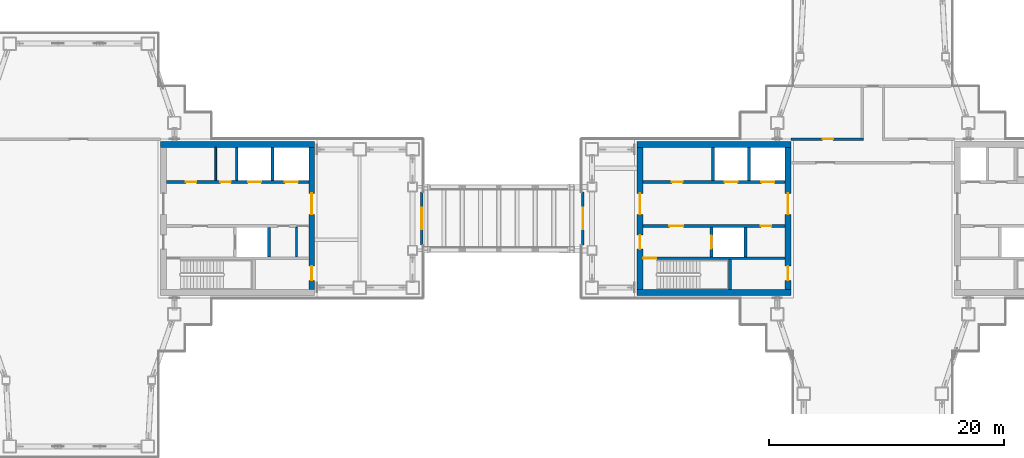
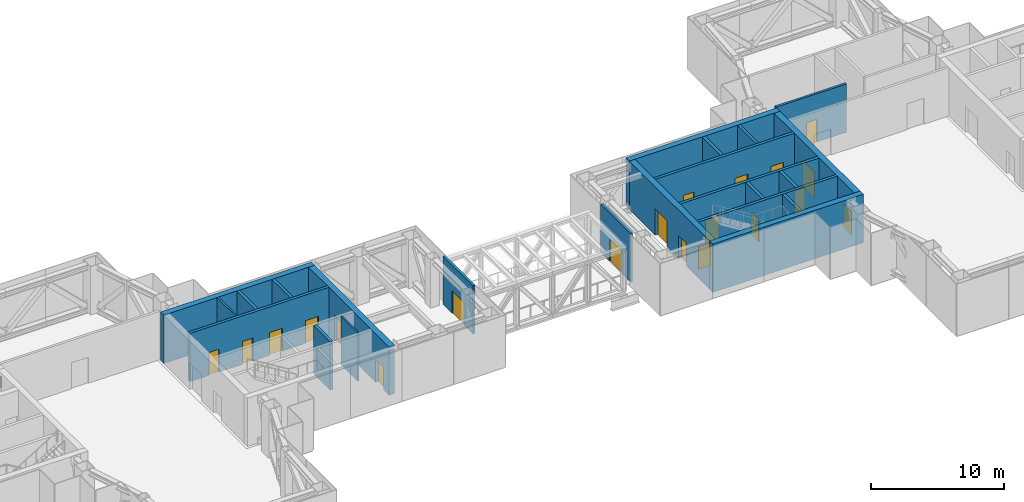
# One storey, part 11 of 21: 23 walls, 20 doors, 20 openings.
"""IFC4 building model written with IfcOpenShell, lengths in metres."""

import ifcopenshell
import ifcopenshell.guid

model = None  # the IFC model being written
_history = None  # IfcOwnerHistory: only IFC2X3 demands one
_inside = {}  # id of a spatial element -> (the spatial element, [elements in it])
_under = {}  # id of a project, library or spatial element -> (it, [spatial elements below it])
_declared = {}  # id of a project -> (the project, [libraries it declares])
_typed = {}  # id of a type object -> (the type object, [elements of that type])
_made_of = {}  # id of a material, layer set ... -> (it, [elements and type objects made of it])


def new_model(schema):
    """Start an empty IFC model of exactly this schema.

    Asked for "IFC4X3", IfcOpenShell would pick the latest addendum, in which some entities
    have other attributes; the version numbers below select the first issue.
    IFC2X3 requires an IfcOwnerHistory on every rooted entity: one is made here for all.
    """
    global model, _history
    if schema == "IFC4X3":
        model = ifcopenshell.file(schema_version=(4, 3, 0, 0))
    else:
        model = ifcopenshell.file(schema=schema)
    _inside.clear()
    _under.clear()
    _declared.clear()
    _typed.clear()
    _made_of.clear()
    _history = None
    if model.schema == "IFC2X3":
        org = make("IfcOrganization", Name="unknown")
        user = make(
            "IfcPersonAndOrganization",
            ThePerson=make("IfcPerson", FamilyName="unknown"),
            TheOrganization=org,
        )
        app = make(
            "IfcApplication",
            ApplicationDeveloper=org,
            Version="unknown",
            ApplicationFullName="unknown",
            ApplicationIdentifier="unknown",
        )
        _history = make(
            "IfcOwnerHistory",
            OwningUser=user,
            OwningApplication=app,
            ChangeAction="ADDED",
            CreationDate=0,
        )
    return model


def make(cls, **values):
    """One entity of the class cls with the attributes given. An attribute that is None is left unset."""
    return model.create_entity(
        cls, **{name: value for name, value in values.items() if value is not None}
    )


def rooted(cls, **values):
    """An entity with a GlobalId (a new one), such as an element, a storey or a relation."""
    return make(cls, GlobalId=ifcopenshell.guid.new(), OwnerHistory=_history, **values)


def si_unit(unit_type, name, prefix=None):
    """IfcSIUnit, for example si_unit("LENGTHUNIT", "METRE", prefix="MILLI")."""
    return make("IfcSIUnit", UnitType=unit_type, Prefix=prefix, Name=name)


def assignment(units):
    """IfcUnitAssignment: the units of a project."""
    return None if units is None else make("IfcUnitAssignment", Units=units)


def point(xyz):
    """IfcCartesianPoint."""
    return None if xyz is None else make("IfcCartesianPoint", Coordinates=xyz)


def direction(xyz):
    """IfcDirection."""
    return None if xyz is None else make("IfcDirection", DirectionRatios=xyz)


def frame(location, z_axis=None, x_axis=None):
    """IfcAxis2Placement3D, a coordinate frame: its origin and axes. An axis left out is left unset."""
    return make(
        "IfcAxis2Placement3D",
        Location=point(location),
        Axis=direction(z_axis),
        RefDirection=direction(x_axis),
    )


def frame_2d(location, x_axis=None):
    """IfcAxis2Placement2D, a coordinate frame in the plane: its origin and x axis."""
    return make(
        "IfcAxis2Placement2D", Location=point(location), RefDirection=direction(x_axis)
    )


def origin():
    """The frame at (0, 0, 0) with its axes left unset."""
    return frame((0.0, 0.0, 0.0))


def place(relative_to, where):
    """IfcLocalPlacement: puts the frame where relative to a parent placement (None: the world)."""
    return make(
        "IfcLocalPlacement", PlacementRelTo=relative_to, RelativePlacement=where
    )


def context(
    kind, dimensions, precision=None, world=None, true_north=None, identifier=None
):
    """IfcGeometricRepresentationContext, for example the 3D "Model" context."""
    return make(
        "IfcGeometricRepresentationContext",
        ContextIdentifier=identifier,
        ContextType=kind,
        CoordinateSpaceDimension=dimensions,
        Precision=precision,
        WorldCoordinateSystem=world,
        TrueNorth=true_north,
    )


def subcontext(parent, identifier, kind, view, scale=None):
    """IfcGeometricRepresentationSubContext, for example "Body" below "Model"."""
    return make(
        "IfcGeometricRepresentationSubContext",
        ContextIdentifier=identifier,
        ContextType=kind,
        ParentContext=parent,
        TargetScale=scale,
        TargetView=view,
    )


def project(units=None, contexts=None):
    """IfcProject with its units and contexts."""
    return rooted(
        "IfcProject",
        Name="project",
        RepresentationContexts=contexts,
        UnitsInContext=assignment(units),
    )


def spatial(cls, under=None, at=None, **own):
    """A site, building, storey or space (cls), placed at a placement, below another one or the project."""
    s = rooted(cls, ObjectPlacement=at, **own)
    if under is not None:
        _under.setdefault(under.id(), (under, []))[1].append(s)
    return s


def profile(cls, at=None, kind="AREA", **sizes):
    """A parametric profile (cls). Its sizes go by their IFC names, for example OverallWidth=200.0."""
    return make(cls, ProfileType=kind, Position=at, **sizes)


def rectangle(**sizes):
    """IfcRectangleProfileDef."""
    return profile("IfcRectangleProfileDef", **sizes)


def extrude(swept, where, along, depth):
    """IfcExtrudedAreaSolid: the profile swept, set in the frame where, extruded along a direction by depth."""
    return make(
        "IfcExtrudedAreaSolid",
        SweptArea=swept,
        Position=where,
        ExtrudedDirection=direction(along),
        Depth=depth,
    )


def shape(context_of_items, identifier, shape_type, items):
    """IfcShapeRepresentation: the items that make up one representation, for example the "Body"."""
    return make(
        "IfcShapeRepresentation",
        ContextOfItems=context_of_items,
        RepresentationIdentifier=identifier,
        RepresentationType=shape_type,
        Items=items,
    )


def material(Name=None, Category=None):
    """IfcMaterial."""
    return make("IfcMaterial", Name=Name, Category=Category)


def layer(
    of_material, thickness, ventilated=None, Name=None, Category=None, Priority=None
):
    """IfcMaterialLayer: one layer of a wall or slab, of a material (None: an air gap)."""
    return make(
        "IfcMaterialLayer",
        Material=of_material,
        LayerThickness=thickness,
        IsVentilated=ventilated,
        Name=Name,
        Category=Category,
        Priority=Priority,
    )


def layer_set(layers, Name=None):
    """IfcMaterialLayerSet."""
    return make("IfcMaterialLayerSet", MaterialLayers=layers, LayerSetName=Name)


def made_of(thing, what):
    """Note that an element or type object is made of a material, layer set ...; save() writes the relation."""
    if what is not None:
        _made_of.setdefault(what.id(), (what, []))[1].append(thing)
    return thing


def type_object(cls, material=None, **own):
    """A type object (cls), such as IfcWallType, which elements share."""
    return made_of(rooted(cls, **own), material)


def element(
    cls,
    number,
    at=None,
    inside=None,
    cuts=None,
    type_object=None,
    material=None,
    context=None,
    identifier="Body",
    shape_type=None,
    held_by="IfcProductDefinitionShape",
    body=None,
    shapes=None,
    **own,
):
    """One element of the class cls, such as IfcWall. Its Tag is "e" and its number.

    at: its placement. inside: the storey or other place that contains it. cuts: it is an
    opening in that element (IfcRelVoidsElement). A single representation is given by context,
    identifier, shape_type and body (its items); several are given by shapes. held_by: the class
    of the entity that holds the representations. save() writes the other relations.
    """
    e = rooted(cls, Tag="e%d" % number, ObjectPlacement=at, **own)
    if body is not None:
        shapes = [shape(context, identifier, shape_type, body)]
    if shapes is not None:
        e.Representation = make(held_by, Representations=shapes)
    if inside is not None:
        _inside.setdefault(inside.id(), (inside, []))[1].append(e)
    if cuts is not None:
        rooted(
            "IfcRelVoidsElement", RelatingBuildingElement=cuts, RelatedOpeningElement=e
        )
    if type_object is not None:
        _typed.setdefault(type_object.id(), (type_object, []))[1].append(e)
    return made_of(e, material)


def fill(opening, filler):
    """IfcRelFillsElement: the door or window that sits in an opening."""
    return rooted(
        "IfcRelFillsElement",
        RelatingOpeningElement=opening,
        RelatedBuildingElement=filler,
    )


def aggregate(whole, parts):
    """IfcRelAggregates: a whole, such as a stair, and the parts it consists of."""
    return rooted("IfcRelAggregates", RelatingObject=whole, RelatedObjects=parts)


def save(model, path):
    """Write the relations noted so far, then the file.

    IfcRelAggregates (storeys below a building ...), IfcRelContainedInSpatialStructure (elements
    in a storey), IfcRelDefinesByType, IfcRelAssociatesMaterial and IfcRelDeclares: one each for
    every whole, place, type object, material and project.
    """
    for whole, parts in _under.values():
        aggregate(whole, parts)
    for where, things in _inside.values():
        rooted(
            "IfcRelContainedInSpatialStructure",
            RelatedElements=things,
            RelatingStructure=where,
        )
    for kind, things in _typed.values():
        rooted("IfcRelDefinesByType", RelatedObjects=things, RelatingType=kind)
    for what, things in _made_of.values():
        rooted("IfcRelAssociatesMaterial", RelatedObjects=things, RelatingMaterial=what)
    for by, libraries in _declared.values():
        rooted("IfcRelDeclares", RelatingContext=by, RelatedDefinitions=libraries)
    model.write(path)


model = new_model("IFC4")

# Units and contexts
model_context = context("Model", 3, precision=1e-05, world=origin(), true_north=direction((0.0, 1.0)))
body_context = subcontext(model_context, "Body", "Model", "MODEL_VIEW")
ifc_project = project(units=[si_unit("LENGTHUNIT", "METRE"), si_unit("AREAUNIT", "SQUARE_METRE"), si_unit("VOLUMEUNIT", "CUBIC_METRE"), si_unit("PLANEANGLEUNIT", "RADIAN"), si_unit("MASSUNIT", "GRAM", prefix="KILO")], contexts=[model_context])

# Site, building, storey
site_placement = place(None, origin())
site = spatial("IfcSite", under=ifc_project, at=site_placement, CompositionType="ELEMENT")
building_placement = place(site_placement, origin())
building = spatial("IfcBuilding", under=site, at=building_placement, Name="Shamsa Quay Exchange Towers", CompositionType="ELEMENT")
storey_placement = place(building_placement, frame((0.0, 0.0, 177.89990234375)))
storey = spatial("IfcBuildingStorey", under=building, at=storey_placement, Name="L42", CompositionType="ELEMENT", Elevation=177.89990234375)

# Wall
ifc_material_1 = material(Name="Concrete C60/75", Category="concrete")
ifc_layer_1 = layer(ifc_material_1, 0.5)
ifc_layer_set_1 = layer_set([ifc_layer_1], Name="CORE WALL 500 C60/75")
wall_type_1 = type_object("IfcWallType", Name="CORE WALL 500 C60/75", PredefinedType="SHEAR", material=ifc_layer_set_1)
wall_1_placement = place(storey_placement, frame((-26.800048828125, 6.300048828125, 0.0)))
element("IfcWall", 1, at=wall_1_placement, inside=storey, type_object=wall_type_1, Name="Core wall T1A-L42-PN", PredefinedType="SHEAR", context=body_context, shape_type="SweptSolid", body=[
    extrude(rectangle(XDim=13.10009765625, YDim=0.5, at=frame_2d((6.550048828125, 0.0))), origin(), (0.0, 0.0, 1.0), 4.4501953125),
])

# Wall, openings, doors
wall_2_placement = place(storey_placement, frame((-13.949951171875, 6.050048828125, 0.0), z_axis=(0.0, 0.0, 1.0), x_axis=(0.0, -1.0, 0.0)))
wall_2 = element("IfcWall", 2, at=wall_2_placement, inside=storey, type_object=wall_type_1, Name="Core wall T1A-L42-PB", PredefinedType="SHEAR", context=body_context, shape_type="SweptSolid", body=[
    extrude(rectangle(XDim=12.10009765625, YDim=0.5, at=frame_2d((6.050048828125, 0.0))), origin(), (0.0, 0.0, 1.0), 4.4501953125),
])
opening_1_placement = place(wall_2_placement, frame((10.10009765625, 0.0, 0.0)))
opening_1 = element("IfcOpeningElement", 3, at=opening_1_placement, cuts=wall_2, Name="Opening T1A-L42-RD03", PredefinedType="OPENING", context=body_context, shape_type="SweptSolid", body=[
    extrude(rectangle(XDim=1.199951171875, YDim=2.10009765625, at=frame_2d((0.60009765625, 1.050048828125))), frame((0.0, 0.260009765625, 0.0), z_axis=(0.0, -1.0, 0.0), x_axis=(1.0, 0.0, 0.0)), (0.0, 0.0, 1.0), 0.52001953125),
])
opening_2_placement = place(wall_2_placement, frame((3.89990234375, 0.0, 0.0)))
opening_2 = element("IfcOpeningElement", 4, at=opening_2_placement, cuts=wall_2, Name="Opening T1A-L42-LBD04", PredefinedType="OPENING", context=body_context, shape_type="SweptSolid", body=[
    extrude(rectangle(XDim=1.800048828125, YDim=2.39990234375, at=frame_2d((0.89990234375, 1.199951171875))), frame((0.0, 0.260009765625, 0.0), z_axis=(0.0, -1.0, 0.0), x_axis=(1.0, 0.0, 0.0)), (0.0, 0.0, 1.0), 0.52001953125),
])
ifc_material_2 = material(Name="Steel, fire rated", Category="steel")
door_type_1 = type_object("IfcDoorType", Name="LIFT LOBBY DOOR PAIR 1800", OperationType="DOUBLE_DOOR_SINGLE_SWING", PredefinedType="DOOR", material=ifc_material_2)
door_1_placement = place(opening_2_placement, origin())
door_1 = element("IfcDoor", 5, at=door_1_placement, inside=storey, type_object=door_type_1, Name="T1A-L42-LBD04", OperationType="DOUBLE_DOOR_SINGLE_SWING", OverallHeight=2.39990234375, OverallWidth=1.800048828125, PredefinedType="DOOR", context=body_context, shape_type="SweptSolid", body=[
    extrude(rectangle(XDim=1.800048828125, YDim=2.39990234375, at=frame_2d((0.89990234375, 1.199951171875))), frame((0.0, 0.02490234375, 0.0), z_axis=(0.0, -1.0, 0.0), x_axis=(1.0, 0.0, 0.0)), (0.0, 0.0, 1.0), 0.050048828125),
])
fill(opening_2, door_1)
door_type_2 = type_object("IfcDoorType", Name="RISER ACCESS DOOR 1200", OperationType="SINGLE_SWING_LEFT", PredefinedType="DOOR", material=ifc_material_2)
door_2_placement = place(opening_1_placement, origin())
door_2 = element("IfcDoor", 6, at=door_2_placement, inside=storey, type_object=door_type_2, Name="T1A-L42-RD03", OperationType="SINGLE_SWING_RIGHT", OverallHeight=2.10009765625, OverallWidth=1.199951171875, PredefinedType="DOOR", context=body_context, shape_type="SweptSolid", body=[
    extrude(rectangle(XDim=1.199951171875, YDim=2.10009765625, at=frame_2d((0.60009765625, 1.050048828125))), frame((0.0, 0.02490234375, 0.0), z_axis=(0.0, -1.0, 0.0), x_axis=(1.0, 0.0, 0.0)), (0.0, 0.0, 1.0), 0.050048828125),
])
fill(opening_1, door_2)

# Walls
for number, where, name in (
    (7, (13.699951171875, -6.300048828125, 0.0), "Core wall T2A-L42-PS"),
    (8, (13.699951171875, 6.300048828125, 0.0), "Core wall T2A-L42-PN"),
):
    element("IfcWall", number, at=place(storey_placement, frame(where)), inside=storey, type_object=wall_type_1, Name=name, PredefinedType="SHEAR", context=body_context, shape_type="SweptSolid", body=[
        extrude(rectangle(XDim=13.10009765625, YDim=0.5, at=frame_2d((6.550048828125, 0.0))), origin(), (0.0, 0.0, 1.0), 4.4501953125),
    ])

# Wall, openings, doors
wall_3_placement = place(storey_placement, frame((13.949951171875, 6.050048828125, 0.0), z_axis=(0.0, 0.0, 1.0), x_axis=(0.0, -1.0, 0.0)))
wall_3 = element("IfcWall", 9, at=wall_3_placement, inside=storey, type_object=wall_type_1, Name="Core wall T2A-L42-PF", PredefinedType="SHEAR", context=body_context, shape_type="SweptSolid", body=[
    extrude(rectangle(XDim=12.10009765625, YDim=0.5, at=frame_2d((6.050048828125, 0.0))), origin(), (0.0, 0.0, 1.0), 4.4501953125),
])
opening_3_placement = place(wall_3_placement, frame((7.449951171875, 0.0, 0.0)))
opening_3 = element("IfcOpeningElement", 10, at=opening_3_placement, cuts=wall_3, Name="Opening T2A-L42-FD01", PredefinedType="OPENING", context=body_context, shape_type="SweptSolid", body=[
    extrude(rectangle(XDim=1.199951171875, YDim=2.10009765625, at=frame_2d((0.60009765625, 1.050048828125))), frame((0.0, 0.260009765625, 0.0), z_axis=(0.0, -1.0, 0.0), x_axis=(1.0, 0.0, 0.0)), (0.0, 0.0, 1.0), 0.52001953125),
])
opening_4_placement = place(wall_3_placement, frame((3.89990234375, 0.0, 0.0)))
opening_4 = element("IfcOpeningElement", 11, at=opening_4_placement, cuts=wall_3, Name="Opening T2A-L42-LBD02", PredefinedType="OPENING", context=body_context, shape_type="SweptSolid", body=[
    extrude(rectangle(XDim=1.800048828125, YDim=2.39990234375, at=frame_2d((0.89990234375, 1.199951171875))), frame((0.0, 0.260009765625, 0.0), z_axis=(0.0, -1.0, 0.0), x_axis=(1.0, 0.0, 0.0)), (0.0, 0.0, 1.0), 0.52001953125),
])
door_type_3 = type_object("IfcDoorType", Name="FIRE SERVICE LOBBY DOOR 1200", OperationType="SINGLE_SWING_LEFT", PredefinedType="DOOR", material=ifc_material_2)
door_3_placement = place(opening_3_placement, origin())
door_3 = element("IfcDoor", 12, at=door_3_placement, inside=storey, type_object=door_type_3, Name="T2A-L42-FD01", OperationType="SINGLE_SWING_RIGHT", OverallHeight=2.10009765625, OverallWidth=1.199951171875, PredefinedType="DOOR", context=body_context, shape_type="SweptSolid", body=[
    extrude(rectangle(XDim=1.199951171875, YDim=2.10009765625, at=frame_2d((0.60009765625, 1.050048828125))), frame((0.0, 0.02490234375, 0.0), z_axis=(0.0, -1.0, 0.0), x_axis=(1.0, 0.0, 0.0)), (0.0, 0.0, 1.0), 0.050048828125),
])
fill(opening_3, door_3)
door_4_placement = place(opening_4_placement, origin())
door_4 = element("IfcDoor", 13, at=door_4_placement, inside=storey, type_object=door_type_1, Name="T2A-L42-LBD02", OperationType="DOUBLE_DOOR_SINGLE_SWING", OverallHeight=2.39990234375, OverallWidth=1.800048828125, PredefinedType="DOOR", context=body_context, shape_type="SweptSolid", body=[
    extrude(rectangle(XDim=1.800048828125, YDim=2.39990234375, at=frame_2d((0.89990234375, 1.199951171875))), frame((0.0, 0.02490234375, 0.0), z_axis=(0.0, -1.0, 0.0), x_axis=(1.0, 0.0, 0.0)), (0.0, 0.0, 1.0), 0.050048828125),
])
fill(opening_4, door_4)

wall_4_placement = place(storey_placement, frame((26.550048828125, 6.050048828125, 0.0), z_axis=(0.0, 0.0, 1.0), x_axis=(0.0, -1.0, 0.0)))
wall_4 = element("IfcWall", 14, at=wall_4_placement, inside=storey, type_object=wall_type_1, Name="Core wall T2A-L42-PB", PredefinedType="SHEAR", context=body_context, shape_type="SweptSolid", body=[
    extrude(rectangle(XDim=12.10009765625, YDim=0.5, at=frame_2d((6.050048828125, 0.0))), origin(), (0.0, 0.0, 1.0), 4.4501953125),
])
opening_5_placement = place(wall_4_placement, frame((10.10009765625, 0.0, 0.0)))
opening_5 = element("IfcOpeningElement", 15, at=opening_5_placement, cuts=wall_4, Name="Opening T2A-L42-RD03", PredefinedType="OPENING", context=body_context, shape_type="SweptSolid", body=[
    extrude(rectangle(XDim=1.199951171875, YDim=2.10009765625, at=frame_2d((0.60009765625, 1.050048828125))), frame((0.0, 0.260009765625, 0.0), z_axis=(0.0, -1.0, 0.0), x_axis=(1.0, 0.0, 0.0)), (0.0, 0.0, 1.0), 0.52001953125),
])
opening_6_placement = place(wall_4_placement, frame((3.89990234375, 0.0, 0.0)))
opening_6 = element("IfcOpeningElement", 16, at=opening_6_placement, cuts=wall_4, Name="Opening T2A-L42-LBD04", PredefinedType="OPENING", context=body_context, shape_type="SweptSolid", body=[
    extrude(rectangle(XDim=1.800048828125, YDim=2.39990234375, at=frame_2d((0.89990234375, 1.199951171875))), frame((0.0, 0.260009765625, 0.0), z_axis=(0.0, -1.0, 0.0), x_axis=(1.0, 0.0, 0.0)), (0.0, 0.0, 1.0), 0.52001953125),
])
door_5_placement = place(opening_6_placement, origin())
door_5 = element("IfcDoor", 17, at=door_5_placement, inside=storey, type_object=door_type_1, Name="T2A-L42-LBD04", OperationType="DOUBLE_DOOR_SINGLE_SWING", OverallHeight=2.39990234375, OverallWidth=1.800048828125, PredefinedType="DOOR", context=body_context, shape_type="SweptSolid", body=[
    extrude(rectangle(XDim=1.800048828125, YDim=2.39990234375, at=frame_2d((0.89990234375, 1.199951171875))), frame((0.0, 0.02490234375, 0.0), z_axis=(0.0, -1.0, 0.0), x_axis=(1.0, 0.0, 0.0)), (0.0, 0.0, 1.0), 0.050048828125),
])
fill(opening_6, door_5)
door_6_placement = place(opening_5_placement, origin())
door_6 = element("IfcDoor", 18, at=door_6_placement, inside=storey, type_object=door_type_2, Name="T2A-L42-RD03", OperationType="SINGLE_SWING_RIGHT", OverallHeight=2.10009765625, OverallWidth=1.199951171875, PredefinedType="DOOR", context=body_context, shape_type="SweptSolid", body=[
    extrude(rectangle(XDim=1.199951171875, YDim=2.10009765625, at=frame_2d((0.60009765625, 1.050048828125))), frame((0.0, 0.02490234375, 0.0), z_axis=(0.0, -1.0, 0.0), x_axis=(1.0, 0.0, 0.0)), (0.0, 0.0, 1.0), 0.050048828125),
])
fill(opening_5, door_6)

# Walls
ifc_material_3 = material(Name="Gypsum board on steel studs, EI 60", Category="steel")
ifc_layer_2 = layer(ifc_material_3, 0.14990234375)
ifc_layer_set_2 = layer_set([ifc_layer_2], Name="FIRE PARTITION 150")
wall_type_2 = type_object("IfcWallType", Name="FIRE PARTITION 150", PredefinedType="PARTITIONING", material=ifc_layer_set_2)
wall_5_placement = place(storey_placement, frame((-15.25, -3.25, 0.0), z_axis=(0.0, 0.0, 1.0), x_axis=(0.0, 1.0, 0.0)))
element("IfcWall", 19, at=wall_5_placement, inside=storey, type_object=wall_type_2, Name="Partition T1A-L42-EC0", PredefinedType="PARTITIONING", context=body_context, shape_type="SweptSolid", body=[
    extrude(rectangle(XDim=2.5, YDim=0.14990234375, at=frame_2d((1.25, 0.0))), origin(), (0.0, 0.0, 1.0), 4.4501953125),
])
wall_6_placement = place(storey_placement, frame((-22.10009765625, 3.25, 0.0), z_axis=(0.0, 0.0, 1.0), x_axis=(0.0, 1.0, 0.0)))
element("IfcWall", 20, at=wall_6_placement, inside=storey, type_object=wall_type_2, Name="Partition T1A-L42-FC0", PredefinedType="PARTITIONING", context=body_context, shape_type="SweptSolid", body=[
    extrude(rectangle(XDim=2.800048828125, YDim=0.14990234375, at=frame_2d((1.39990234375, 0.0))), origin(), (0.0, 0.0, 1.0), 4.4501953125),
])

# Wall, opening, door
ifc_material_4 = material(Name="Gypsum board partition on metal studs")
ifc_layer_3 = layer(ifc_material_4, 0.199951171875)
ifc_layer_set_3 = layer_set([ifc_layer_3], Name="Partition 200 mm EI 90")
wall_type_3 = type_object("IfcWallType", Name="Partition 200 mm EI 90", PredefinedType="PARTITIONING", material=ifc_layer_set_3)
wall_7_placement = place(storey_placement, frame((26.800048828125, 6.75, 0.0)))
wall_7 = element("IfcWall", 21, at=wall_7_placement, inside=storey, type_object=wall_type_3, Name="Partition T2-L42-W03", PredefinedType="PARTITIONING", context=body_context, shape_type="SweptSolid", body=[
    extrude(rectangle(XDim=6.149658203125, YDim=0.199951171875, at=frame_2d((3.07470703125, 0.0))), origin(), (0.0, 0.0, 1.0), 4.4501953125),
])
opening_7_placement = place(wall_7_placement, frame((2.6748046875, 0.0, 0.0)))
opening_7 = element("IfcOpeningElement", 22, at=opening_7_placement, cuts=wall_7, Name="Opening T2-L42-D05", PredefinedType="OPENING", context=body_context, shape_type="SweptSolid", body=[
    extrude(rectangle(XDim=0.89990234375, YDim=2.10009765625, at=frame_2d((0.449951171875, 1.050048828125))), frame((0.0, 0.10986328125, 0.0), z_axis=(0.0, -1.0, 0.0), x_axis=(1.0, 0.0, 0.0)), (0.0, 0.0, 1.0), 0.219970703125),
])
ifc_material_5 = material(Name="Timber door leaf in a metal frame", Category="wood")
door_type_4 = type_object("IfcDoorType", Name="Door 900x2100 FD60", OperationType="NOTDEFINED", PredefinedType="DOOR", material=ifc_material_5)
door_7_placement = place(opening_7_placement, origin())
door_7 = element("IfcDoor", 23, at=door_7_placement, inside=storey, type_object=door_type_4, Name="Door T2-L42-D05", OperationType="SINGLE_SWING_LEFT", OverallHeight=2.10009765625, OverallWidth=0.89990234375, PredefinedType="DOOR", context=body_context, shape_type="SweptSolid", body=[
    extrude(rectangle(XDim=0.89990234375, YDim=2.10009765625, at=frame_2d((0.449951171875, 1.050048828125))), frame((0.0, 0.02490234375, 0.0), z_axis=(0.0, -1.0, 0.0), x_axis=(1.0, 0.0, 0.0)), (0.0, 0.0, 1.0), 0.050048828125),
])
fill(opening_7, door_7)

ifc_material_6 = material(Name="Fire-rated masonry and board wall", Category="masonry")
ifc_layer_4 = layer(ifc_material_6, 0.199951171875)
ifc_layer_set_4 = layer_set([ifc_layer_4], Name="Portal wall 200 mm EI 120")
wall_type_4 = type_object("IfcWallType", Name="Portal wall 200 mm EI 120", PredefinedType="PARTITIONING", material=ifc_layer_set_4)
wall_8_placement = place(storey_placement, frame((-4.60009765625, -2.25, 0.0), z_axis=(0.0, 0.0, 1.0), x_axis=(0.0, 1.0, 0.0)))
wall_8 = element("IfcWall", 24, at=wall_8_placement, inside=storey, type_object=wall_type_4, Name="Portal wall T1-L42-W02", PredefinedType="PARTITIONING", context=body_context, shape_type="SweptSolid", body=[
    extrude(rectangle(XDim=4.5, YDim=0.199951171875, at=frame_2d((2.25, 0.0))), origin(), (0.0, 0.0, 1.0), 4.4501953125),
])
opening_8_placement = place(wall_8_placement, frame((1.35009765625, 0.0, 0.0)))
opening_8 = element("IfcOpeningElement", 25, at=opening_8_placement, cuts=wall_8, Name="Opening T1-L42-D02", PredefinedType="OPENING", context=body_context, shape_type="SweptSolid", body=[
    extrude(rectangle(XDim=1.800048828125, YDim=2.10009765625, at=frame_2d((0.89990234375, 1.050048828125))), frame((0.0, 0.10986328125, 0.0), z_axis=(0.0, -1.0, 0.0), x_axis=(1.0, 0.0, 0.0)), (0.0, 0.0, 1.0), 0.219970703125),
])
door_type_5 = type_object("IfcDoorType", Name="Door 1800x2100 FD90 pair", OperationType="NOTDEFINED", PredefinedType="DOOR", material=ifc_material_5)
door_8_placement = place(opening_8_placement, origin())
door_8 = element("IfcDoor", 26, at=door_8_placement, inside=storey, type_object=door_type_5, Name="Door T1-L42-D02", OperationType="DOUBLE_DOOR_SINGLE_SWING", OverallHeight=2.10009765625, OverallWidth=1.800048828125, PredefinedType="DOOR", context=body_context, shape_type="SweptSolid", body=[
    extrude(rectangle(XDim=1.800048828125, YDim=2.10009765625, at=frame_2d((0.89990234375, 1.050048828125))), frame((0.0, 0.02490234375, 0.0), z_axis=(0.0, -1.0, 0.0), x_axis=(1.0, 0.0, 0.0)), (0.0, 0.0, 1.0), 0.050048828125),
])
fill(opening_8, door_8)

wall_9_placement = place(storey_placement, frame((9.10009765625, 2.25, 0.0), z_axis=(0.0, 0.0, 1.0), x_axis=(0.0, -1.0, 0.0)))
wall_9 = element("IfcWall", 27, at=wall_9_placement, inside=storey, type_object=wall_type_4, Name="Portal wall T2-L42-W09", PredefinedType="PARTITIONING", context=body_context, shape_type="SweptSolid", body=[
    extrude(rectangle(XDim=4.5, YDim=0.199951171875, at=frame_2d((2.25, 0.0))), origin(), (0.0, 0.0, 1.0), 4.4501953125),
])
opening_9_placement = place(wall_9_placement, frame((1.35009765625, 0.0, 0.0)))
opening_9 = element("IfcOpeningElement", 28, at=opening_9_placement, cuts=wall_9, Name="Opening T2-L42-D06", PredefinedType="OPENING", context=body_context, shape_type="SweptSolid", body=[
    extrude(rectangle(XDim=1.800048828125, YDim=2.10009765625, at=frame_2d((0.89990234375, 1.050048828125))), frame((0.0, 0.10986328125, 0.0), z_axis=(0.0, -1.0, 0.0), x_axis=(1.0, 0.0, 0.0)), (0.0, 0.0, 1.0), 0.219970703125),
])
door_9_placement = place(opening_9_placement, origin())
door_9 = element("IfcDoor", 29, at=door_9_placement, inside=storey, type_object=door_type_5, Name="Door T2-L42-D06", OperationType="DOUBLE_DOOR_SINGLE_SWING", OverallHeight=2.10009765625, OverallWidth=1.800048828125, PredefinedType="DOOR", context=body_context, shape_type="SweptSolid", body=[
    extrude(rectangle(XDim=1.800048828125, YDim=2.10009765625, at=frame_2d((0.89990234375, 1.050048828125))), frame((0.0, 0.02490234375, 0.0), z_axis=(0.0, -1.0, 0.0), x_axis=(1.0, 0.0, 0.0)), (0.0, 0.0, 1.0), 0.050048828125),
])
fill(opening_9, door_9)

# Wall
ifc_material_7 = material(Name="Concrete C50/60", Category="concrete")
ifc_layer_5 = layer(ifc_material_7, 0.25)
ifc_layer_set_5 = layer_set([ifc_layer_5], Name="SHAFT WALL 250 C50/60")
wall_type_5 = type_object("IfcWallType", Name="SHAFT WALL 250 C50/60", PredefinedType="SHEAR", material=ifc_layer_set_5)
wall_10_placement = place(storey_placement, frame((-17.574951171875, -3.25, 0.0), z_axis=(0.0, 0.0, 1.0), x_axis=(0.0, 1.0, 0.0)))
element("IfcWall", 30, at=wall_10_placement, inside=storey, type_object=wall_type_5, Name="Shaft wall T1A-L42-FFB", PredefinedType="SHEAR", context=body_context, shape_type="SweptSolid", body=[
    extrude(rectangle(XDim=2.5, YDim=0.25, at=frame_2d((1.25, 0.0))), origin(), (0.0, 0.0, 1.0), 4.4501953125),
])

# Wall, openings, doors
wall_11_placement = place(storey_placement, frame((-26.300048828125, 3.125, 0.0)))
wall_11 = element("IfcWall", 31, at=wall_11_placement, inside=storey, type_object=wall_type_5, Name="Shaft wall T1A-L42-N", PredefinedType="SHEAR", context=body_context, shape_type="SweptSolid", body=[
    extrude(rectangle(XDim=12.10009765625, YDim=0.25, at=frame_2d((6.050048828125, 0.0))), origin(), (0.0, 0.0, 1.0), 4.4501953125),
])
opening_10_placement = place(wall_11_placement, frame((6.949951171875, 0.0, 0.0)))
opening_10 = element("IfcOpeningElement", 32, at=opening_10_placement, cuts=wall_11, Name="Opening T1A-L42-LD10", PredefinedType="OPENING", context=body_context, shape_type="SweptSolid", body=[
    extrude(rectangle(XDim=1.10009765625, YDim=2.10009765625, at=frame_2d((0.550048828125, 1.050048828125))), frame((0.0, 0.135009765625, 0.0), z_axis=(0.0, -1.0, 0.0), x_axis=(1.0, 0.0, 0.0)), (0.0, 0.0, 1.0), 0.27001953125),
])
opening_11_placement = place(wall_11_placement, frame((10.074951171875, 0.0, 0.0)))
opening_11 = element("IfcOpeningElement", 33, at=opening_11_placement, cuts=wall_11, Name="Opening T1A-L42-LD11", PredefinedType="OPENING", context=body_context, shape_type="SweptSolid", body=[
    extrude(rectangle(XDim=1.10009765625, YDim=2.10009765625, at=frame_2d((0.550048828125, 1.050048828125))), frame((0.0, 0.135009765625, 0.0), z_axis=(0.0, -1.0, 0.0), x_axis=(1.0, 0.0, 0.0)), (0.0, 0.0, 1.0), 0.27001953125),
])
opening_12_placement = place(wall_11_placement, frame((1.64990234375, 0.0, 0.0)))
opening_12 = element("IfcOpeningElement", 34, at=opening_12_placement, cuts=wall_11, Name="Opening T1A-L42-SV12", PredefinedType="OPENING", context=body_context, shape_type="SweptSolid", body=[
    extrude(rectangle(XDim=0.89990234375, YDim=2.10009765625, at=frame_2d((0.449951171875, 1.050048828125))), frame((0.0, 0.135009765625, 0.0), z_axis=(0.0, -1.0, 0.0), x_axis=(1.0, 0.0, 0.0)), (0.0, 0.0, 1.0), 0.27001953125),
])
opening_13_placement = place(wall_11_placement, frame((4.574951171875, 0.0, 0.0)))
opening_13 = element("IfcOpeningElement", 35, at=opening_13_placement, cuts=wall_11, Name="Opening T1A-L42-SV13", PredefinedType="OPENING", context=body_context, shape_type="SweptSolid", body=[
    extrude(rectangle(XDim=0.89990234375, YDim=2.10009765625, at=frame_2d((0.449951171875, 1.050048828125))), frame((0.0, 0.135009765625, 0.0), z_axis=(0.0, -1.0, 0.0), x_axis=(1.0, 0.0, 0.0)), (0.0, 0.0, 1.0), 0.27001953125),
])
door_type_6 = type_object("IfcDoorType", Name="LANDING DOOR 1100", OperationType="SLIDING_TO_LEFT", PredefinedType="DOOR", material=ifc_material_2)
door_10_placement = place(opening_10_placement, origin())
door_10 = element("IfcDoor", 36, at=door_10_placement, inside=storey, type_object=door_type_6, Name="T1A-L42-LD10", OperationType="SLIDING_TO_LEFT", OverallHeight=2.10009765625, OverallWidth=1.10009765625, PredefinedType="DOOR", context=body_context, shape_type="SweptSolid", body=[
    extrude(rectangle(XDim=1.10009765625, YDim=2.10009765625, at=frame_2d((0.550048828125, 1.050048828125))), frame((0.0, 0.02490234375, 0.0), z_axis=(0.0, -1.0, 0.0), x_axis=(1.0, 0.0, 0.0)), (0.0, 0.0, 1.0), 0.050048828125),
])
fill(opening_10, door_10)
door_11_placement = place(opening_11_placement, origin())
door_11 = element("IfcDoor", 37, at=door_11_placement, inside=storey, type_object=door_type_6, Name="T1A-L42-LD11", OperationType="SLIDING_TO_LEFT", OverallHeight=2.10009765625, OverallWidth=1.10009765625, PredefinedType="DOOR", context=body_context, shape_type="SweptSolid", body=[
    extrude(rectangle(XDim=1.10009765625, YDim=2.10009765625, at=frame_2d((0.550048828125, 1.050048828125))), frame((0.0, 0.02490234375, 0.0), z_axis=(0.0, -1.0, 0.0), x_axis=(1.0, 0.0, 0.0)), (0.0, 0.0, 1.0), 0.050048828125),
])
fill(opening_11, door_11)
door_type_7 = type_object("IfcDoorType", Name="SERVICE ROOM DOOR 900", OperationType="SINGLE_SWING_LEFT", PredefinedType="DOOR", material=ifc_material_2)
door_12_placement = place(opening_12_placement, origin())
door_12 = element("IfcDoor", 38, at=door_12_placement, inside=storey, type_object=door_type_7, Name="T1A-L42-SV12", OperationType="SINGLE_SWING_LEFT", OverallHeight=2.10009765625, OverallWidth=0.89990234375, PredefinedType="DOOR", context=body_context, shape_type="SweptSolid", body=[
    extrude(rectangle(XDim=0.89990234375, YDim=2.10009765625, at=frame_2d((0.449951171875, 1.050048828125))), frame((0.0, 0.02490234375, 0.0), z_axis=(0.0, -1.0, 0.0), x_axis=(1.0, 0.0, 0.0)), (0.0, 0.0, 1.0), 0.050048828125),
])
fill(opening_12, door_12)
door_13_placement = place(opening_13_placement, origin())
door_13 = element("IfcDoor", 39, at=door_13_placement, inside=storey, type_object=door_type_7, Name="T1A-L42-SV13", OperationType="SINGLE_SWING_LEFT", OverallHeight=2.10009765625, OverallWidth=0.89990234375, PredefinedType="DOOR", context=body_context, shape_type="SweptSolid", body=[
    extrude(rectangle(XDim=0.89990234375, YDim=2.10009765625, at=frame_2d((0.449951171875, 1.050048828125))), frame((0.0, 0.02490234375, 0.0), z_axis=(0.0, -1.0, 0.0), x_axis=(1.0, 0.0, 0.0)), (0.0, 0.0, 1.0), 0.050048828125),
])
fill(opening_13, door_13)

# Walls
for number, where, z_axis, x_axis, name in (
    (40, (-20.324951171875, 3.25, 0.0), (0.0, 0.0, 1.0), (0.0, 1.0, 0.0), "Shaft wall T1A-L42-D1"),
    (41, (-17.27490234375, 3.25, 0.0), (0.0, 0.0, 1.0), (0.0, 1.0, 0.0), "Shaft wall T1A-L42-D2"),
):
    element("IfcWall", number, at=place(storey_placement, frame(where, z_axis=z_axis, x_axis=x_axis)), inside=storey, type_object=wall_type_5, Name=name, PredefinedType="SHEAR", context=body_context, shape_type="SweptSolid", body=[
        extrude(rectangle(XDim=2.800048828125, YDim=0.25, at=frame_2d((1.39990234375, 0.0))), origin(), (0.0, 0.0, 1.0), 4.4501953125),
    ])

# Wall, opening, door
wall_12_placement = place(storey_placement, frame((26.300048828125, -3.375, 0.0), z_axis=(0.0, 0.0, 1.0), x_axis=(-1.0, 0.0, 0.0)))
wall_12 = element("IfcWall", 42, at=wall_12_placement, inside=storey, type_object=wall_type_5, Name="Shaft wall T2A-L42-STL", PredefinedType="SHEAR", context=body_context, shape_type="SweptSolid", body=[
    extrude(rectangle(XDim=12.10009765625, YDim=0.25, at=frame_2d((6.050048828125, 0.0))), origin(), (0.0, 0.0, 1.0), 4.4501953125),
])
opening_14_placement = place(wall_12_placement, frame((10.949951171875, 0.0, 0.0)))
opening_14 = element("IfcOpeningElement", 43, at=opening_14_placement, cuts=wall_12, Name="Opening T2A-L42-SD05", PredefinedType="OPENING", context=body_context, shape_type="SweptSolid", body=[
    extrude(rectangle(XDim=1.10009765625, YDim=2.10009765625, at=frame_2d((0.550048828125, 1.050048828125))), frame((0.0, 0.135009765625, 0.0), z_axis=(0.0, -1.0, 0.0), x_axis=(1.0, 0.0, 0.0)), (0.0, 0.0, 1.0), 0.27001953125),
])
door_type_8 = type_object("IfcDoorType", Name="STAIR DOOR 1100", OperationType="SINGLE_SWING_LEFT", PredefinedType="DOOR", material=ifc_material_2)
door_14_placement = place(opening_14_placement, origin())
door_14 = element("IfcDoor", 44, at=door_14_placement, inside=storey, type_object=door_type_8, Name="T2A-L42-SD05", OperationType="SINGLE_SWING_RIGHT", OverallHeight=2.10009765625, OverallWidth=1.10009765625, PredefinedType="DOOR", context=body_context, shape_type="SweptSolid", body=[
    extrude(rectangle(XDim=1.10009765625, YDim=2.10009765625, at=frame_2d((0.550048828125, 1.050048828125))), frame((0.0, 0.02490234375, 0.0), z_axis=(0.0, -1.0, 0.0), x_axis=(1.0, 0.0, 0.0)), (0.0, 0.0, 1.0), 0.050048828125),
])
fill(opening_14, door_14)

# Wall
wall_13_placement = place(storey_placement, frame((21.625, -6.050048828125, 0.0), z_axis=(0.0, 0.0, 1.0), x_axis=(0.0, 1.0, 0.0)))
element("IfcWall", 45, at=wall_13_placement, inside=storey, type_object=wall_type_5, Name="Shaft wall T2A-L42-STF", PredefinedType="SHEAR", context=body_context, shape_type="SweptSolid", body=[
    extrude(rectangle(XDim=2.550048828125, YDim=0.25, at=frame_2d((1.27490234375, 0.0))), origin(), (0.0, 0.0, 1.0), 4.4501953125),
])

# Wall, openings, doors
wall_14_placement = place(storey_placement, frame((26.300048828125, -0.625, 0.0), z_axis=(0.0, 0.0, 1.0), x_axis=(-1.0, 0.0, 0.0)))
wall_14 = element("IfcWall", 46, at=wall_14_placement, inside=storey, type_object=wall_type_5, Name="Shaft wall T2A-L42-B", PredefinedType="SHEAR", context=body_context, shape_type="SweptSolid", body=[
    extrude(rectangle(XDim=12.10009765625, YDim=0.25, at=frame_2d((6.050048828125, 0.0))), origin(), (0.0, 0.0, 1.0), 4.4501953125),
])
opening_15_placement = place(wall_14_placement, frame((8.64990234375, 0.0, 0.0)))
opening_15 = element("IfcOpeningElement", 47, at=opening_15_placement, cuts=wall_14, Name="Opening T2A-L42-FD06", PredefinedType="OPENING", context=body_context, shape_type="SweptSolid", body=[
    extrude(rectangle(XDim=1.199951171875, YDim=2.10009765625, at=frame_2d((0.60009765625, 1.050048828125))), frame((0.0, 0.135009765625, 0.0), z_axis=(0.0, -1.0, 0.0), x_axis=(1.0, 0.0, 0.0)), (0.0, 0.0, 1.0), 0.27001953125),
])
opening_16_placement = place(wall_14_placement, frame((1.175048828125, 0.0, 0.0)))
opening_16 = element("IfcOpeningElement", 48, at=opening_16_placement, cuts=wall_14, Name="Opening T2A-L42-SV07", PredefinedType="OPENING", context=body_context, shape_type="SweptSolid", body=[
    extrude(rectangle(XDim=0.89990234375, YDim=2.10009765625, at=frame_2d((0.449951171875, 1.050048828125))), frame((0.0, 0.135009765625, 0.0), z_axis=(0.0, -1.0, 0.0), x_axis=(1.0, 0.0, 0.0)), (0.0, 0.0, 1.0), 0.27001953125),
])
door_15_placement = place(opening_15_placement, origin())
door_15 = element("IfcDoor", 49, at=door_15_placement, inside=storey, type_object=door_type_3, Name="T2A-L42-FD06", OperationType="SINGLE_SWING_RIGHT", OverallHeight=2.10009765625, OverallWidth=1.199951171875, PredefinedType="DOOR", context=body_context, shape_type="SweptSolid", body=[
    extrude(rectangle(XDim=1.199951171875, YDim=2.10009765625, at=frame_2d((0.60009765625, 1.050048828125))), frame((0.0, 0.02490234375, 0.0), z_axis=(0.0, -1.0, 0.0), x_axis=(1.0, 0.0, 0.0)), (0.0, 0.0, 1.0), 0.050048828125),
])
fill(opening_15, door_15)
door_16_placement = place(opening_16_placement, origin())
door_16 = element("IfcDoor", 50, at=door_16_placement, inside=storey, type_object=door_type_7, Name="T2A-L42-SV07", OperationType="SINGLE_SWING_LEFT", OverallHeight=2.10009765625, OverallWidth=0.89990234375, PredefinedType="DOOR", context=body_context, shape_type="SweptSolid", body=[
    extrude(rectangle(XDim=0.89990234375, YDim=2.10009765625, at=frame_2d((0.449951171875, 1.050048828125))), frame((0.0, 0.02490234375, 0.0), z_axis=(0.0, -1.0, 0.0), x_axis=(1.0, 0.0, 0.0)), (0.0, 0.0, 1.0), 0.050048828125),
])
fill(opening_16, door_16)

# Wall, opening, door
wall_15_placement = place(storey_placement, frame((20.02490234375, -3.25, 0.0), z_axis=(0.0, 0.0, 1.0), x_axis=(0.0, 1.0, 0.0)))
wall_15 = element("IfcWall", 51, at=wall_15_placement, inside=storey, type_object=wall_type_5, Name="Shaft wall T2A-L42-FFF", PredefinedType="SHEAR", context=body_context, shape_type="SweptSolid", body=[
    extrude(rectangle(XDim=2.5, YDim=0.25, at=frame_2d((1.25, 0.0))), origin(), (0.0, 0.0, 1.0), 4.4501953125),
])
opening_17_placement = place(wall_15_placement, frame((0.699951171875, 0.0, 0.0)))
opening_17 = element("IfcOpeningElement", 52, at=opening_17_placement, cuts=wall_15, Name="Opening T2A-L42-LDF08", PredefinedType="OPENING", context=body_context, shape_type="SweptSolid", body=[
    extrude(rectangle(XDim=1.10009765625, YDim=2.10009765625, at=frame_2d((0.550048828125, 1.050048828125))), frame((0.0, 0.135009765625, 0.0), z_axis=(0.0, -1.0, 0.0), x_axis=(1.0, 0.0, 0.0)), (0.0, 0.0, 1.0), 0.27001953125),
])
door_type_9 = type_object("IfcDoorType", Name="FIRE SERVICE LANDING DOOR 1100", OperationType="SLIDING_TO_LEFT", PredefinedType="DOOR", material=ifc_material_2)
door_17_placement = place(opening_17_placement, origin())
door_17 = element("IfcDoor", 53, at=door_17_placement, inside=storey, type_object=door_type_9, Name="T2A-L42-LDF08", OperationType="SLIDING_TO_LEFT", OverallHeight=2.10009765625, OverallWidth=1.10009765625, PredefinedType="DOOR", context=body_context, shape_type="SweptSolid", body=[
    extrude(rectangle(XDim=1.10009765625, YDim=2.10009765625, at=frame_2d((0.550048828125, 1.050048828125))), frame((0.0, 0.02490234375, 0.0), z_axis=(0.0, -1.0, 0.0), x_axis=(1.0, 0.0, 0.0)), (0.0, 0.0, 1.0), 0.050048828125),
])
fill(opening_17, door_17)

# Wall
wall_16_placement = place(storey_placement, frame((22.925048828125, -3.25, 0.0), z_axis=(0.0, 0.0, 1.0), x_axis=(0.0, 1.0, 0.0)))
element("IfcWall", 54, at=wall_16_placement, inside=storey, type_object=wall_type_5, Name="Shaft wall T2A-L42-FFB", PredefinedType="SHEAR", context=body_context, shape_type="SweptSolid", body=[
    extrude(rectangle(XDim=2.5, YDim=0.25, at=frame_2d((1.25, 0.0))), origin(), (0.0, 0.0, 1.0), 4.4501953125),
])

# Wall, openings, doors
wall_17_placement = place(storey_placement, frame((14.199951171875, 3.125, 0.0)))
wall_17 = element("IfcWall", 55, at=wall_17_placement, inside=storey, type_object=wall_type_5, Name="Shaft wall T2A-L42-N", PredefinedType="SHEAR", context=body_context, shape_type="SweptSolid", body=[
    extrude(rectangle(XDim=12.10009765625, YDim=0.25, at=frame_2d((6.050048828125, 0.0))), origin(), (0.0, 0.0, 1.0), 4.4501953125),
])
opening_18_placement = place(wall_17_placement, frame((6.949951171875, 0.0, 0.0)))
opening_18 = element("IfcOpeningElement", 56, at=opening_18_placement, cuts=wall_17, Name="Opening T2A-L42-LD09", PredefinedType="OPENING", context=body_context, shape_type="SweptSolid", body=[
    extrude(rectangle(XDim=1.10009765625, YDim=2.10009765625, at=frame_2d((0.550048828125, 1.050048828125))), frame((0.0, 0.135009765625, 0.0), z_axis=(0.0, -1.0, 0.0), x_axis=(1.0, 0.0, 0.0)), (0.0, 0.0, 1.0), 0.27001953125),
])
opening_19_placement = place(wall_17_placement, frame((10.074951171875, 0.0, 0.0)))
opening_19 = element("IfcOpeningElement", 57, at=opening_19_placement, cuts=wall_17, Name="Opening T2A-L42-LD10", PredefinedType="OPENING", context=body_context, shape_type="SweptSolid", body=[
    extrude(rectangle(XDim=1.10009765625, YDim=2.10009765625, at=frame_2d((0.550048828125, 1.050048828125))), frame((0.0, 0.135009765625, 0.0), z_axis=(0.0, -1.0, 0.0), x_axis=(1.0, 0.0, 0.0)), (0.0, 0.0, 1.0), 0.27001953125),
])
opening_20_placement = place(wall_17_placement, frame((2.47509765625, 0.0, 0.0)))
opening_20 = element("IfcOpeningElement", 58, at=opening_20_placement, cuts=wall_17, Name="Opening T2A-L42-SV11", PredefinedType="OPENING", context=body_context, shape_type="SweptSolid", body=[
    extrude(rectangle(XDim=0.89990234375, YDim=2.10009765625, at=frame_2d((0.449951171875, 1.050048828125))), frame((0.0, 0.135009765625, 0.0), z_axis=(0.0, -1.0, 0.0), x_axis=(1.0, 0.0, 0.0)), (0.0, 0.0, 1.0), 0.27001953125),
])
door_18_placement = place(opening_18_placement, origin())
door_18 = element("IfcDoor", 59, at=door_18_placement, inside=storey, type_object=door_type_6, Name="T2A-L42-LD09", OperationType="SLIDING_TO_LEFT", OverallHeight=2.10009765625, OverallWidth=1.10009765625, PredefinedType="DOOR", context=body_context, shape_type="SweptSolid", body=[
    extrude(rectangle(XDim=1.10009765625, YDim=2.10009765625, at=frame_2d((0.550048828125, 1.050048828125))), frame((0.0, 0.02490234375, 0.0), z_axis=(0.0, -1.0, 0.0), x_axis=(1.0, 0.0, 0.0)), (0.0, 0.0, 1.0), 0.050048828125),
])
fill(opening_18, door_18)
door_19_placement = place(opening_19_placement, origin())
door_19 = element("IfcDoor", 60, at=door_19_placement, inside=storey, type_object=door_type_6, Name="T2A-L42-LD10", OperationType="SLIDING_TO_LEFT", OverallHeight=2.10009765625, OverallWidth=1.10009765625, PredefinedType="DOOR", context=body_context, shape_type="SweptSolid", body=[
    extrude(rectangle(XDim=1.10009765625, YDim=2.10009765625, at=frame_2d((0.550048828125, 1.050048828125))), frame((0.0, 0.02490234375, 0.0), z_axis=(0.0, -1.0, 0.0), x_axis=(1.0, 0.0, 0.0)), (0.0, 0.0, 1.0), 0.050048828125),
])
fill(opening_19, door_19)
door_20_placement = place(opening_20_placement, origin())
door_20 = element("IfcDoor", 61, at=door_20_placement, inside=storey, type_object=door_type_7, Name="T2A-L42-SV11", OperationType="SINGLE_SWING_LEFT", OverallHeight=2.10009765625, OverallWidth=0.89990234375, PredefinedType="DOOR", context=body_context, shape_type="SweptSolid", body=[
    extrude(rectangle(XDim=0.89990234375, YDim=2.10009765625, at=frame_2d((0.449951171875, 1.050048828125))), frame((0.0, 0.02490234375, 0.0), z_axis=(0.0, -1.0, 0.0), x_axis=(1.0, 0.0, 0.0)), (0.0, 0.0, 1.0), 0.050048828125),
])
fill(opening_20, door_20)

# Walls
for number, where, z_axis, x_axis, name in (
    (62, (20.175048828125, 3.25, 0.0), (0.0, 0.0, 1.0), (0.0, 1.0, 0.0), "Shaft wall T2A-L42-D1"),
    (63, (23.22509765625, 3.25, 0.0), (0.0, 0.0, 1.0), (0.0, 1.0, 0.0), "Shaft wall T2A-L42-D2"),
):
    element("IfcWall", number, at=place(storey_placement, frame(where, z_axis=z_axis, x_axis=x_axis)), inside=storey, type_object=wall_type_5, Name=name, PredefinedType="SHEAR", context=body_context, shape_type="SweptSolid", body=[
        extrude(rectangle(XDim=2.800048828125, YDim=0.25, at=frame_2d((1.39990234375, 0.0))), origin(), (0.0, 0.0, 1.0), 4.4501953125),
    ])

save(model, "model.ifc")
